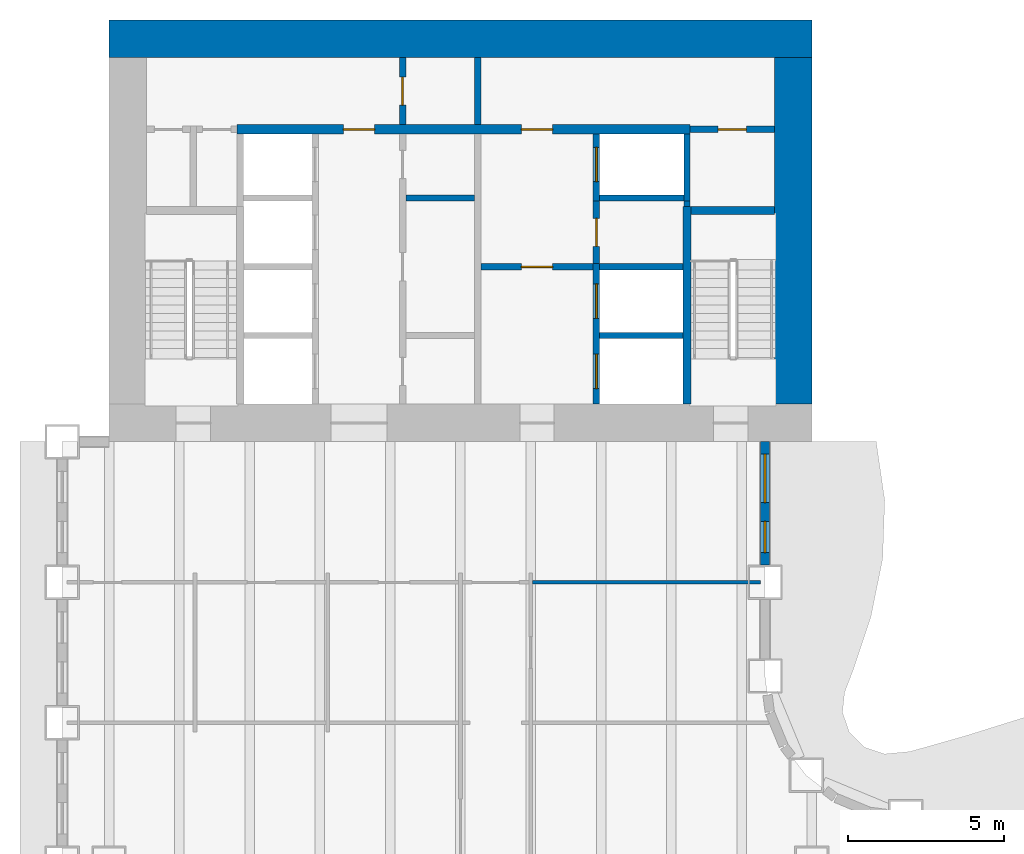
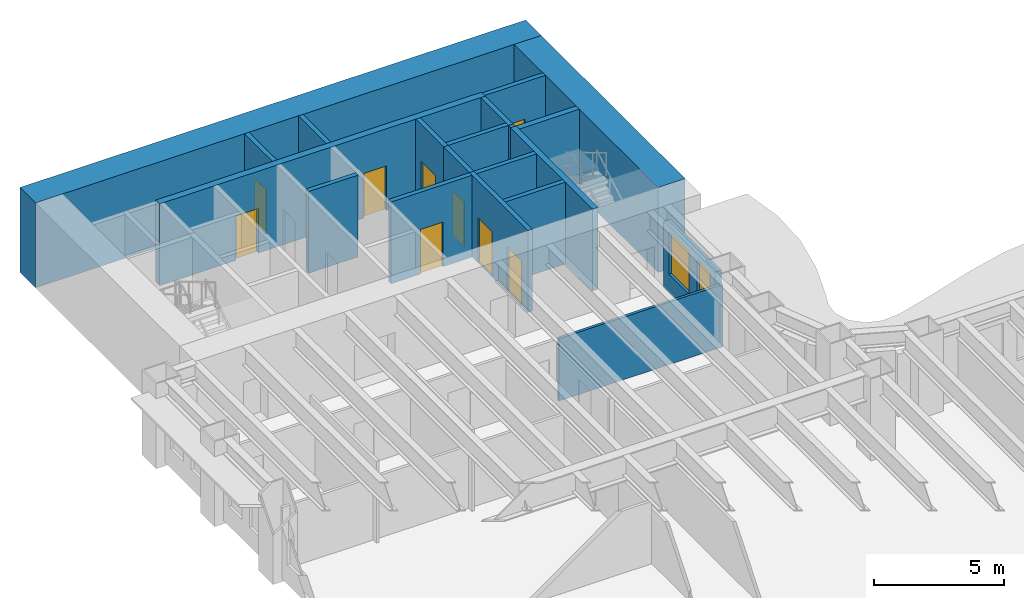
# One storey, part 9 of 17: 20 walls, 9 doors, 2 windows, 11 openings.
"""IFC4 building model written with IfcOpenShell, lengths in metres."""

from ifc_helpers import new_model, si_unit, direction, frame, frame_2d, origin, place, context, subcontext, project, spatial, rectangle, extrude, material, layer, layer_set, type_object, element, fill, save


model = new_model("IFC4")

# Units and contexts
model_context = context("Model", 3, precision=1e-05, world=origin(), true_north=direction((0.0, 1.0)))
body_context = subcontext(model_context, "Body", "Model", "MODEL_VIEW")
ifc_project = project(units=[si_unit("LENGTHUNIT", "METRE"), si_unit("AREAUNIT", "SQUARE_METRE"), si_unit("VOLUMEUNIT", "CUBIC_METRE"), si_unit("PLANEANGLEUNIT", "RADIAN"), si_unit("MASSUNIT", "GRAM", prefix="KILO")], contexts=[model_context])

# Site, building, storey
site_placement = place(None, origin())
site = spatial("IfcSite", under=ifc_project, at=site_placement, CompositionType="ELEMENT")
building_placement = place(site_placement, origin())
building = spatial("IfcBuilding", under=site, at=building_placement, Name="Sennacour Bend Tower", CompositionType="ELEMENT")
storey_placement = place(building_placement, frame((0.0, 0.0, 53.0)))
storey = spatial("IfcBuildingStorey", under=building, at=storey_placement, Name="L11", CompositionType="ELEMENT", Elevation=53.0)

# Walls
ifc_material_1 = material(Name="Concrete C80/95", Category="concrete")
ifc_layer_1 = layer(ifc_material_1, 1.199951171875, Name="Concrete C80/95", Category="concrete")
ifc_layer_set_1 = layer_set([ifc_layer_1], Name="Concrete C80/95")
wall_type_1 = type_object("IfcWallType", Name="Core wall 1200 C80/95", PredefinedType="SHEAR", material=ifc_layer_set_1)
wall_1_placement = place(storey_placement, frame((0.0, 48.89990234375, -0.14990234375), z_axis=(0.0, 0.0, 1.0), x_axis=(1.0, 0.0, 0.0)))
element("IfcWall", 1, at=wall_1_placement, inside=storey, type_object=wall_type_1, Name="Core B wall L11 N", PredefinedType="SHEAR", context=body_context, shape_type="SweptSolid", body=[
    extrude(rectangle(XDim=22.5, YDim=1.199951171875, at=frame_2d((11.25, 0.0))), origin(), (0.0, 0.0, 1.0), 4.0),
])
wall_2_placement = place(storey_placement, frame((21.89990234375, 37.199951171875, -0.14990234375), z_axis=(0.0, 0.0, 1.0), x_axis=(0.0, 1.0, 0.0)))
element("IfcWall", 2, at=wall_2_placement, inside=storey, type_object=wall_type_1, Name="Core B wall L11 E", PredefinedType="SHEAR", context=body_context, shape_type="SweptSolid", body=[
    extrude(rectangle(XDim=11.10009765625, YDim=1.199951171875, at=frame_2d((5.550048828125, 0.0))), origin(), (0.0, 0.0, 1.0), 4.0),
])
ifc_material_2 = material(Name="Plasterboard partition on steel studs", Category="steel")
ifc_layer_2 = layer(ifc_material_2, 0.1201171875, Name="Plasterboard partition on steel studs", Category="steel")
ifc_layer_set_2 = layer_set([ifc_layer_2], Name="Plasterboard partition on steel studs")
wall_type_2 = type_object("IfcWallType", Name="Partition 120", PredefinedType="PARTITIONING", material=ifc_layer_set_2)
wall_3_placement = place(storey_placement, frame((13.56005859375, 31.5, 0.0), z_axis=(0.0, 0.0, 1.0), x_axis=(1.0, 0.0, 0.0)))
element("IfcWall", 3, at=wall_3_placement, inside=storey, type_object=wall_type_2, Name="P-L11-W077ae", PredefinedType="PARTITIONING", context=body_context, shape_type="SweptSolid", body=[
    extrude(rectangle(XDim=7.2900390625, YDim=0.1201171875, at=frame_2d((3.64501953125, 0.0))), origin(), (0.0, 0.0, 1.0), 2.93798828125),
])

# Wall, opening, door
ifc_material_3 = material(Name="Fire-rated plasterboard partition on steel studs", Category="steel")
ifc_layer_3 = layer(ifc_material_3, 0.199951171875, Name="Fire-rated plasterboard partition on steel studs", Category="steel")
ifc_layer_set_3 = layer_set([ifc_layer_3], Name="Fire-rated plasterboard partition on steel studs")
wall_type_3 = type_object("IfcWallType", Name="Rated partition 200", PredefinedType="PARTITIONING", material=ifc_layer_set_3)
wall_4_placement = place(storey_placement, frame((9.39990234375, 46.14990234375, 0.0), z_axis=(0.0, 0.0, 1.0), x_axis=(0.0, 1.0, 0.0)))
wall_4 = element("IfcWall", 4, at=wall_4_placement, inside=storey, type_object=wall_type_3, Name="P-L11-W013b", PredefinedType="PARTITIONING", context=body_context, shape_type="SweptSolid", body=[
    extrude(rectangle(XDim=2.150146484375, YDim=0.199951171875, at=frame_2d((1.0751953125, 0.0))), origin(), (0.0, 0.0, 1.0), 3.85009765625),
])
opening_1_placement = place(wall_4_placement, frame((0.625, 0.0, 0.0)))
opening_1 = element("IfcOpeningElement", 5, at=opening_1_placement, cuts=wall_4, Name="Opening SV", PredefinedType="OPENING", context=body_context, shape_type="SweptSolid", body=[
    extrude(rectangle(XDim=0.89990234375, YDim=2.10009765625, at=frame_2d((0.449951171875, 1.050048828125))), frame((0.0, 0.10986328125, 0.0), z_axis=(0.0, -1.0, 0.0), x_axis=(1.0, 0.0, 0.0)), (0.0, 0.0, 1.0), 0.219970703125),
])
ifc_material_4 = material(Name="Painted steel", Category="steel")
door_type_1 = type_object("IfcDoorType", Name="DR-SERVICE-900", OperationType="NOTDEFINED", PredefinedType="DOOR", material=ifc_material_4)
door_1_placement = place(opening_1_placement, origin())
door_1 = element("IfcDoor", 6, at=door_1_placement, inside=storey, type_object=door_type_1, Name="Door", OperationType="SINGLE_SWING_LEFT", OverallHeight=2.10009765625, OverallWidth=0.89990234375, PredefinedType="DOOR", context=body_context, shape_type="SweptSolid", body=[
    extrude(rectangle(XDim=0.89990234375, YDim=2.10009765625, at=frame_2d((0.449951171875, 1.050048828125))), frame((0.0, 0.02490234375, 0.0), z_axis=(0.0, -1.0, 0.0), x_axis=(1.0, 0.0, 0.0)), (0.0, 0.0, 1.0), 0.050048828125),
])
fill(opening_1, door_1)

# Wall
wall_5_placement = place(storey_placement, frame((11.800048828125, 46.14990234375, 0.0), z_axis=(0.0, 0.0, 1.0), x_axis=(0.0, 1.0, 0.0)))
element("IfcWall", 7, at=wall_5_placement, inside=storey, type_object=wall_type_3, Name="P-L11-W015b", PredefinedType="PARTITIONING", context=body_context, shape_type="SweptSolid", body=[
    extrude(rectangle(XDim=2.150146484375, YDim=0.199951171875, at=frame_2d((1.0751953125, 0.0))), origin(), (0.0, 0.0, 1.0), 3.85009765625),
])

# Wall, opening, door
wall_6_placement = place(storey_placement, frame((15.60009765625, 41.699951171875, 0.0), z_axis=(0.0, 0.0, 1.0), x_axis=(0.0, 1.0, 0.0)))
wall_6 = element("IfcWall", 8, at=wall_6_placement, inside=storey, type_object=wall_type_3, Name="P-L11-W019", PredefinedType="PARTITIONING", context=body_context, shape_type="SweptSolid", body=[
    extrude(rectangle(XDim=2.0, YDim=0.199951171875, at=frame_2d((1.0, 0.0))), origin(), (0.0, 0.0, 1.0), 3.85009765625),
])
opening_2_placement = place(wall_6_placement, frame((0.550048828125, 0.0, 0.0)))
opening_2 = element("IfcOpeningElement", 9, at=opening_2_placement, cuts=wall_6, Name="Opening SV", PredefinedType="OPENING", context=body_context, shape_type="SweptSolid", body=[
    extrude(rectangle(XDim=0.89990234375, YDim=2.10009765625, at=frame_2d((0.449951171875, 1.050048828125))), frame((0.0, 0.10986328125, 0.0), z_axis=(0.0, -1.0, 0.0), x_axis=(1.0, 0.0, 0.0)), (0.0, 0.0, 1.0), 0.219970703125),
])
door_2_placement = place(opening_2_placement, origin())
door_2 = element("IfcDoor", 10, at=door_2_placement, inside=storey, type_object=door_type_1, Name="Door", OperationType="SINGLE_SWING_RIGHT", OverallHeight=2.10009765625, OverallWidth=0.89990234375, PredefinedType="DOOR", context=body_context, shape_type="SweptSolid", body=[
    extrude(rectangle(XDim=0.89990234375, YDim=2.10009765625, at=frame_2d((0.449951171875, 1.050048828125))), frame((0.0, 0.02490234375, 0.0), z_axis=(0.0, -1.0, 0.0), x_axis=(1.0, 0.0, 0.0)), (0.0, 0.0, 1.0), 0.050048828125),
])
fill(opening_2, door_2)

# Walls
wall_7_placement = place(storey_placement, frame((18.5, 43.52490234375, 0.0), z_axis=(0.0, 0.0, 1.0), x_axis=(0.0, 1.0, 0.0)))
element("IfcWall", 11, at=wall_7_placement, inside=storey, type_object=wall_type_3, Name="P-L11-W023", PredefinedType="PARTITIONING", context=body_context, shape_type="SweptSolid", body=[
    extrude(rectangle(XDim=0.175048828125, YDim=0.199951171875, at=frame_2d((0.08740234375, 0.0))), origin(), (0.0, 0.0, 1.0), 3.85009765625),
])
wall_8_placement = place(storey_placement, frame((9.5, 43.800048828125, 0.0), z_axis=(0.0, 0.0, 1.0), x_axis=(1.0, 0.0, 0.0)))
element("IfcWall", 12, at=wall_8_placement, inside=storey, type_object=wall_type_3, Name="P-L11-W088", PredefinedType="PARTITIONING", context=body_context, shape_type="SweptSolid", body=[
    extrude(rectangle(XDim=2.199951171875, YDim=0.199951171875, at=frame_2d((1.10009765625, 0.0))), origin(), (0.0, 0.0, 1.0), 3.85009765625),
])

# Wall, opening, door
wall_9_placement = place(storey_placement, frame((18.60009765625, 46.0, 0.0), z_axis=(0.0, 0.0, 1.0), x_axis=(1.0, 0.0, 0.0)))
wall_9 = element("IfcWall", 13, at=wall_9_placement, inside=storey, type_object=wall_type_3, Name="P-L11-W092", PredefinedType="PARTITIONING", context=body_context, shape_type="SweptSolid", body=[
    extrude(rectangle(XDim=2.699951171875, YDim=0.199951171875, at=frame_2d((1.35009765625, 0.0))), origin(), (0.0, 0.0, 1.0), 3.85009765625),
])
opening_3_placement = place(wall_9_placement, frame((0.89990234375, 0.0, 0.0)))
opening_3 = element("IfcOpeningElement", 14, at=opening_3_placement, cuts=wall_9, Name="Opening WD", PredefinedType="OPENING", context=body_context, shape_type="SweptSolid", body=[
    extrude(rectangle(XDim=0.89990234375, YDim=2.10009765625, at=frame_2d((0.449951171875, 1.050048828125))), frame((0.0, 0.10986328125, 0.0), z_axis=(0.0, -1.0, 0.0), x_axis=(1.0, 0.0, 0.0)), (0.0, 0.0, 1.0), 0.219970703125),
])
ifc_material_5 = material(Name="Timber", Category="wood")
door_type_2 = type_object("IfcDoorType", Name="DR-WC-900", OperationType="NOTDEFINED", PredefinedType="DOOR", material=ifc_material_5)
door_3_placement = place(opening_3_placement, origin())
door_3 = element("IfcDoor", 15, at=door_3_placement, inside=storey, type_object=door_type_2, Name="Door", OperationType="SINGLE_SWING_LEFT", OverallHeight=2.10009765625, OverallWidth=0.89990234375, PredefinedType="DOOR", context=body_context, shape_type="SweptSolid", body=[
    extrude(rectangle(XDim=0.89990234375, YDim=2.10009765625, at=frame_2d((0.449951171875, 1.050048828125))), frame((0.0, 0.02490234375, 0.0), z_axis=(0.0, -1.0, 0.0), x_axis=(1.0, 0.0, 0.0)), (0.0, 0.0, 1.0), 0.050048828125),
])
fill(opening_3, door_3)

ifc_layer_4 = layer(ifc_material_3, 0.199951171875, Name="Fire-rated plasterboard partition on steel studs", Category="steel")
ifc_layer_set_4 = layer_set([ifc_layer_4], Name="Fire-rated plasterboard partition on steel studs")
wall_type_4 = type_object("IfcWallType", Name="Rated partition 200 EI 90", PredefinedType="PARTITIONING", material=ifc_layer_set_4)
wall_10_placement = place(storey_placement, frame((11.89990234375, 41.60009765625, 0.0), z_axis=(0.0, 0.0, 1.0), x_axis=(1.0, 0.0, 0.0)))
wall_10 = element("IfcWall", 16, at=wall_10_placement, inside=storey, type_object=wall_type_4, Name="P-L11-W083", PredefinedType="PARTITIONING", context=body_context, shape_type="SweptSolid", body=[
    extrude(rectangle(XDim=3.60009765625, YDim=0.199951171875, at=frame_2d((1.800048828125, 0.0))), origin(), (0.0, 0.0, 1.0), 3.85009765625),
])
opening_4_placement = place(wall_10_placement, frame((1.300048828125, 0.0, 0.0)))
opening_4 = element("IfcOpeningElement", 17, at=opening_4_placement, cuts=wall_10, Name="Opening FD2", PredefinedType="OPENING", context=body_context, shape_type="SweptSolid", body=[
    extrude(rectangle(XDim=1.0, YDim=2.10009765625, at=frame_2d((0.5, 1.050048828125))), frame((0.0, 0.10986328125, 0.0), z_axis=(0.0, -1.0, 0.0), x_axis=(1.0, 0.0, 0.0)), (0.0, 0.0, 1.0), 0.219970703125),
])
door_type_3 = type_object("IfcDoorType", Name="DR-FFL-1000", OperationType="NOTDEFINED", PredefinedType="DOOR", material=ifc_material_4)
door_4_placement = place(opening_4_placement, origin())
door_4 = element("IfcDoor", 18, at=door_4_placement, inside=storey, type_object=door_type_3, Name="Door", OperationType="SINGLE_SWING_LEFT", OverallHeight=2.10009765625, OverallWidth=1.0, PredefinedType="DOOR", context=body_context, shape_type="SweptSolid", body=[
    extrude(rectangle(XDim=1.0, YDim=2.10009765625, at=frame_2d((0.5, 1.050048828125))), frame((0.0, 0.02490234375, 0.0), z_axis=(0.0, -1.0, 0.0), x_axis=(1.0, 0.0, 0.0)), (0.0, 0.0, 1.0), 0.050048828125),
])
fill(opening_4, door_4)

# Wall, openings, windows
ifc_material_6 = material(Name="Warm limestone cladding", Category="masonry")
ifc_layer_5 = layer(ifc_material_6, 0.050048828125, Name="Warm limestone cladding", Category="masonry")
ifc_material_7 = material(Name="Precast concrete C40/50", Category="concrete")
ifc_layer_6 = layer(ifc_material_7, 0.25, Name="Precast concrete C40/50", Category="concrete")
ifc_layer_set_5 = layer_set([ifc_layer_5, ifc_layer_6], Name="Precast concrete C40/50 with limestone cladding")
wall_type_5 = type_object("IfcWallType", Name="STONE-CLAD PRECAST SPANDREL 300", PredefinedType="STANDARD", material=ifc_layer_set_5)
wall_11_placement = place(storey_placement, frame((21.0, 32.050048828125, 0.0), z_axis=(0.0, 0.0, 1.0), x_axis=(0.0, 1.0, 0.0)))
wall_11 = element("IfcWall", 19, at=wall_11_placement, inside=storey, type_object=wall_type_5, Name="Stone spandrel and pier wall L11 15.01", PredefinedType="STANDARD", context=body_context, shape_type="SweptSolid", body=[
    extrude(rectangle(XDim=3.949951171875, YDim=0.300048828125, at=frame_2d((1.97509765625, 0.0))), origin(), (0.0, 0.0, 1.0), 3.14404296875),
])
opening_5_placement = place(wall_11_placement, frame((0.39990234375, 0.0, 0.89990234375)))
opening_5 = element("IfcOpeningElement", 20, at=opening_5_placement, cuts=wall_11, Name="Opening W8", PredefinedType="OPENING", context=body_context, shape_type="SweptSolid", body=[
    extrude(rectangle(XDim=1.0, YDim=2.0, at=frame_2d((0.5, 1.0))), frame((0.0, 0.16015625, 0.0), z_axis=(0.0, -1.0, 0.0), x_axis=(1.0, 0.0, 0.0)), (0.0, 0.0, 1.0), 0.320068359375),
])
opening_6_placement = place(wall_11_placement, frame((2.0, 0.0, 0.89990234375)))
opening_6 = element("IfcOpeningElement", 21, at=opening_6_placement, cuts=wall_11, Name="Opening W9", PredefinedType="OPENING", context=body_context, shape_type="SweptSolid", body=[
    extrude(rectangle(XDim=1.550048828125, YDim=2.0, at=frame_2d((0.77490234375, 1.0))), frame((0.0, 0.16015625, 0.0), z_axis=(0.0, -1.0, 0.0), x_axis=(1.0, 0.0, 0.0)), (0.0, 0.0, 1.0), 0.320068359375),
])
ifc_material_8 = material(Name="Clear low-emissivity glass", Category="glass")
window_type_1 = type_object("IfcWindowType", Name="WIN-RIBBON-1000x2000", PartitioningType="SINGLE_PANEL", PredefinedType="WINDOW", material=ifc_material_8)
window_1_placement = place(opening_5_placement, origin())
window_1 = element("IfcWindow", 22, at=window_1_placement, inside=storey, type_object=window_type_1, Name="Ribbon window L11 15.01.0", OverallHeight=2.0, OverallWidth=1.0, PartitioningType="SINGLE_PANEL", PredefinedType="WINDOW", context=body_context, shape_type="SweptSolid", body=[
    extrude(rectangle(XDim=1.0, YDim=2.0, at=frame_2d((0.5, 1.0))), frame((0.0, 0.030029296875, 0.0), z_axis=(0.0, -1.0, 0.0), x_axis=(1.0, 0.0, 0.0)), (0.0, 0.0, 1.0), 0.06005859375),
])
fill(opening_5, window_1)
window_type_2 = type_object("IfcWindowType", Name="WIN-RIBBON-1550x2000", PartitioningType="SINGLE_PANEL", PredefinedType="WINDOW", material=ifc_material_8)
window_2_placement = place(opening_6_placement, origin())
window_2 = element("IfcWindow", 23, at=window_2_placement, inside=storey, type_object=window_type_2, Name="Ribbon window L11 15.01.1", OverallHeight=2.0, OverallWidth=1.550048828125, PartitioningType="SINGLE_PANEL", PredefinedType="WINDOW", context=body_context, shape_type="SweptSolid", body=[
    extrude(rectangle(XDim=1.550048828125, YDim=2.0, at=frame_2d((0.77490234375, 1.0))), frame((0.0, 0.030029296875, 0.0), z_axis=(0.0, -1.0, 0.0), x_axis=(1.0, 0.0, 0.0)), (0.0, 0.0, 1.0), 0.06005859375),
])
fill(opening_6, window_2)

# Wall, openings, doors
ifc_material_9 = material(Name="Concrete C50/60", Category="concrete")
ifc_layer_7 = layer(ifc_material_9, 0.199951171875, Name="Concrete C50/60", Category="concrete")
ifc_layer_set_6 = layer_set([ifc_layer_7], Name="Concrete C50/60")
wall_type_6 = type_object("IfcWallType", Name="Shaft wall 200", PredefinedType="SOLIDWALL", material=ifc_layer_set_6)
wall_12_placement = place(storey_placement, frame((15.60009765625, 37.199951171875, 0.0), z_axis=(0.0, 0.0, 1.0), x_axis=(0.0, 1.0, 0.0)))
wall_12 = element("IfcWall", 24, at=wall_12_placement, inside=storey, type_object=wall_type_6, Name="P-L11-W018", PredefinedType="SOLIDWALL", context=body_context, shape_type="SweptSolid", body=[
    extrude(rectangle(XDim=4.5, YDim=0.199951171875, at=frame_2d((2.25, 0.0))), origin(), (0.0, 0.0, 1.0), 3.85009765625),
])
opening_7_placement = place(wall_12_placement, frame((0.5, 0.0, 0.011962890625)))
opening_7 = element("IfcOpeningElement", 25, at=opening_7_placement, cuts=wall_12, Name="Opening FLD", PredefinedType="OPENING", context=body_context, shape_type="SweptSolid", body=[
    extrude(rectangle(XDim=1.10009765625, YDim=2.10009765625, at=frame_2d((0.550048828125, 1.050048828125))), frame((0.0, 0.10986328125, 0.0), z_axis=(0.0, -1.0, 0.0), x_axis=(1.0, 0.0, 0.0)), (0.0, 0.0, 1.0), 0.219970703125),
])
opening_8_placement = place(wall_12_placement, frame((2.75, 0.0, 0.011962890625)))
opening_8 = element("IfcOpeningElement", 26, at=opening_8_placement, cuts=wall_12, Name="Opening FLD", PredefinedType="OPENING", context=body_context, shape_type="SweptSolid", body=[
    extrude(rectangle(XDim=1.10009765625, YDim=2.10009765625, at=frame_2d((0.550048828125, 1.050048828125))), frame((0.0, 0.10986328125, 0.0), z_axis=(0.0, -1.0, 0.0), x_axis=(1.0, 0.0, 0.0)), (0.0, 0.0, 1.0), 0.219970703125),
])
ifc_material_10 = material(Name="Stainless steel", Category="steel")
door_type_4 = type_object("IfcDoorType", Name="DR-FF-LANDING-1100", OperationType="NOTDEFINED", PredefinedType="DOOR", material=ifc_material_10)
door_5_placement = place(opening_7_placement, origin())
door_5 = element("IfcDoor", 27, at=door_5_placement, inside=storey, type_object=door_type_4, Name="Fire service lift landing door FB1", OperationType="SLIDING_TO_LEFT", OverallHeight=2.10009765625, OverallWidth=1.10009765625, PredefinedType="DOOR", context=body_context, shape_type="SweptSolid", body=[
    extrude(rectangle(XDim=1.10009765625, YDim=2.10009765625, at=frame_2d((0.550048828125, 1.050048828125))), frame((0.0, 0.02490234375, 0.0), z_axis=(0.0, -1.0, 0.0), x_axis=(1.0, 0.0, 0.0)), (0.0, 0.0, 1.0), 0.050048828125),
])
fill(opening_7, door_5)
door_6_placement = place(opening_8_placement, origin())
door_6 = element("IfcDoor", 28, at=door_6_placement, inside=storey, type_object=door_type_4, Name="Fire service lift landing door FB2", OperationType="SLIDING_TO_RIGHT", OverallHeight=2.10009765625, OverallWidth=1.10009765625, PredefinedType="DOOR", context=body_context, shape_type="SweptSolid", body=[
    extrude(rectangle(XDim=1.10009765625, YDim=2.10009765625, at=frame_2d((0.550048828125, 1.050048828125))), frame((0.0, 0.02490234375, 0.0), z_axis=(0.0, -1.0, 0.0), x_axis=(1.0, 0.0, 0.0)), (0.0, 0.0, 1.0), 0.050048828125),
])
fill(opening_8, door_6)

# Wall, opening, door
wall_13_placement = place(storey_placement, frame((15.60009765625, 43.699951171875, 0.0), z_axis=(0.0, 0.0, 1.0), x_axis=(0.0, 1.0, 0.0)))
wall_13 = element("IfcWall", 29, at=wall_13_placement, inside=storey, type_object=wall_type_6, Name="P-L11-W020", PredefinedType="SOLIDWALL", context=body_context, shape_type="SweptSolid", body=[
    extrude(rectangle(XDim=2.150146484375, YDim=0.199951171875, at=frame_2d((1.0751953125, 0.0))), origin(), (0.0, 0.0, 1.0), 3.85009765625),
])
opening_9_placement = place(wall_13_placement, frame((0.625, 0.0, 0.011962890625)))
opening_9 = element("IfcOpeningElement", 30, at=opening_9_placement, cuts=wall_13, Name="Opening LD", PredefinedType="OPENING", context=body_context, shape_type="SweptSolid", body=[
    extrude(rectangle(XDim=1.10009765625, YDim=2.10009765625, at=frame_2d((0.550048828125, 1.050048828125))), frame((0.0, 0.10986328125, 0.0), z_axis=(0.0, -1.0, 0.0), x_axis=(1.0, 0.0, 0.0)), (0.0, 0.0, 1.0), 0.219970703125),
])
door_type_5 = type_object("IfcDoorType", Name="DR-LANDING-1100", OperationType="NOTDEFINED", PredefinedType="DOOR", material=ifc_material_10)
door_7_placement = place(opening_9_placement, origin())
door_7 = element("IfcDoor", 31, at=door_7_placement, inside=storey, type_object=door_type_5, Name="Lift landing door LB5", OperationType="SLIDING_TO_LEFT", OverallHeight=2.10009765625, OverallWidth=1.10009765625, PredefinedType="DOOR", context=body_context, shape_type="SweptSolid", body=[
    extrude(rectangle(XDim=1.10009765625, YDim=2.10009765625, at=frame_2d((0.550048828125, 1.050048828125))), frame((0.0, 0.02490234375, 0.0), z_axis=(0.0, -1.0, 0.0), x_axis=(1.0, 0.0, 0.0)), (0.0, 0.0, 1.0), 0.050048828125),
])
fill(opening_9, door_7)

# Walls
wall_14_placement = place(storey_placement, frame((18.5, 43.699951171875, 0.0), z_axis=(0.0, 0.0, 1.0), x_axis=(0.0, 1.0, 0.0)))
element("IfcWall", 32, at=wall_14_placement, inside=storey, type_object=wall_type_6, Name="P-L11-W024", PredefinedType="SOLIDWALL", context=body_context, shape_type="SweptSolid", body=[
    extrude(rectangle(XDim=2.150146484375, YDim=0.199951171875, at=frame_2d((1.0751953125, 0.0))), origin(), (0.0, 0.0, 1.0), 3.85009765625),
])
for number, where, z_axis, x_axis, name in (
    (33, (15.699951171875, 39.39990234375, 0.0), (0.0, 0.0, 1.0), (1.0, 0.0, 0.0), "P-L11-W081"),
    (34, (15.699951171875, 41.60009765625, 0.0), (0.0, 0.0, 1.0), (1.0, 0.0, 0.0), "P-L11-W084"),
):
    element("IfcWall", number, at=place(storey_placement, frame(where, z_axis=z_axis, x_axis=x_axis)), inside=storey, type_object=wall_type_6, Name=name, PredefinedType="SOLIDWALL", context=body_context, shape_type="SweptSolid", body=[
        extrude(rectangle(XDim=2.675048828125, YDim=0.199951171875, at=frame_2d((1.33740234375, 0.0))), origin(), (0.0, 0.0, 1.0), 3.85009765625),
    ])
wall_15_placement = place(storey_placement, frame((15.699951171875, 43.800048828125, 0.0), z_axis=(0.0, 0.0, 1.0), x_axis=(1.0, 0.0, 0.0)))
element("IfcWall", 35, at=wall_15_placement, inside=storey, type_object=wall_type_6, Name="P-L11-W089", PredefinedType="SOLIDWALL", context=body_context, shape_type="SweptSolid", body=[
    extrude(rectangle(XDim=2.699951171875, YDim=0.199951171875, at=frame_2d((1.35009765625, 0.0))), origin(), (0.0, 0.0, 1.0), 3.85009765625),
])

# Wall, openings, doors
ifc_material_11 = material(Name="Concrete C60/75", Category="concrete")
ifc_layer_8 = layer(ifc_material_11, 0.300048828125, Name="Concrete C60/75", Category="concrete")
ifc_layer_set_7 = layer_set([ifc_layer_8], Name="Concrete C60/75")
wall_type_7 = type_object("IfcWallType", Name="Spine wall 300", PredefinedType="SHEAR", material=ifc_layer_set_7)
wall_16_placement = place(storey_placement, frame((4.10009765625, 46.0, 0.0), z_axis=(0.0, 0.0, 1.0), x_axis=(1.0, 0.0, 0.0)))
wall_16 = element("IfcWall", 36, at=wall_16_placement, inside=storey, type_object=wall_type_7, Name="P-L11-W091", PredefinedType="SHEAR", context=body_context, shape_type="SweptSolid", body=[
    extrude(rectangle(XDim=14.5, YDim=0.300048828125, at=frame_2d((7.25, 0.0))), origin(), (0.0, 0.0, 1.0), 3.85009765625),
])
opening_10_placement = place(wall_16_placement, frame((3.39990234375, 0.0, 0.0)))
opening_10 = element("IfcOpeningElement", 37, at=opening_10_placement, cuts=wall_16, Name="Opening CD2", PredefinedType="OPENING", context=body_context, shape_type="SweptSolid", body=[
    extrude(rectangle(XDim=1.0, YDim=2.10009765625, at=frame_2d((0.5, 1.050048828125))), frame((0.0, 0.16015625, 0.0), z_axis=(0.0, -1.0, 0.0), x_axis=(1.0, 0.0, 0.0)), (0.0, 0.0, 1.0), 0.320068359375),
])
opening_11_placement = place(wall_16_placement, frame((9.099853515625, 0.0, 0.0)))
opening_11 = element("IfcOpeningElement", 38, at=opening_11_placement, cuts=wall_16, Name="Opening CD2", PredefinedType="OPENING", context=body_context, shape_type="SweptSolid", body=[
    extrude(rectangle(XDim=1.0, YDim=2.10009765625, at=frame_2d((0.5, 1.050048828125))), frame((0.0, 0.16015625, 0.0), z_axis=(0.0, -1.0, 0.0), x_axis=(1.0, 0.0, 0.0)), (0.0, 0.0, 1.0), 0.320068359375),
])
door_type_6 = type_object("IfcDoorType", Name="DR-LOBBY-1000", OperationType="NOTDEFINED", PredefinedType="DOOR", material=ifc_material_4)
door_8_placement = place(opening_10_placement, origin())
door_8 = element("IfcDoor", 39, at=door_8_placement, inside=storey, type_object=door_type_6, Name="Door", OperationType="SINGLE_SWING_LEFT", OverallHeight=2.10009765625, OverallWidth=1.0, PredefinedType="DOOR", context=body_context, shape_type="SweptSolid", body=[
    extrude(rectangle(XDim=1.0, YDim=2.10009765625, at=frame_2d((0.5, 1.050048828125))), frame((0.0, 0.02490234375, 0.0), z_axis=(0.0, -1.0, 0.0), x_axis=(1.0, 0.0, 0.0)), (0.0, 0.0, 1.0), 0.050048828125),
])
fill(opening_10, door_8)
door_9_placement = place(opening_11_placement, origin())
door_9 = element("IfcDoor", 40, at=door_9_placement, inside=storey, type_object=door_type_6, Name="Door", OperationType="SINGLE_SWING_RIGHT", OverallHeight=2.10009765625, OverallWidth=1.0, PredefinedType="DOOR", context=body_context, shape_type="SweptSolid", body=[
    extrude(rectangle(XDim=1.0, YDim=2.10009765625, at=frame_2d((0.5, 1.050048828125))), frame((0.0, 0.02490234375, 0.0), z_axis=(0.0, -1.0, 0.0), x_axis=(1.0, 0.0, 0.0)), (0.0, 0.0, 1.0), 0.050048828125),
])
fill(opening_11, door_9)

# Walls
ifc_layer_9 = layer(ifc_material_11, 0.25, Name="Concrete C60/75", Category="concrete")
ifc_layer_set_8 = layer_set([ifc_layer_9], Name="Concrete C60/75")
wall_type_8 = type_object("IfcWallType", Name="Stair wall 250", PredefinedType="SHEAR", material=ifc_layer_set_8)
wall_17_placement = place(storey_placement, frame((18.5, 37.199951171875, 0.0), z_axis=(0.0, 0.0, 1.0), x_axis=(0.0, 1.0, 0.0)))
element("IfcWall", 41, at=wall_17_placement, inside=storey, type_object=wall_type_8, Name="P-L11-W022", PredefinedType="SHEAR", context=body_context, shape_type="SweptSolid", body=[
    extrude(rectangle(XDim=6.324951171875, YDim=0.25, at=frame_2d((3.16259765625, 0.0))), origin(), (0.0, 0.0, 1.0), 3.85009765625),
])
wall_18_placement = place(storey_placement, frame((18.625, 43.39990234375, 0.0), z_axis=(0.0, 0.0, 1.0), x_axis=(1.0, 0.0, 0.0)))
element("IfcWall", 42, at=wall_18_placement, inside=storey, type_object=wall_type_8, Name="P-L11-W086", PredefinedType="SHEAR", context=body_context, shape_type="SweptSolid", body=[
    extrude(rectangle(XDim=2.675048828125, YDim=0.25, at=frame_2d((1.33740234375, 0.0))), origin(), (0.0, 0.0, 1.0), 3.85009765625),
])

save(model, "model.ifc")
